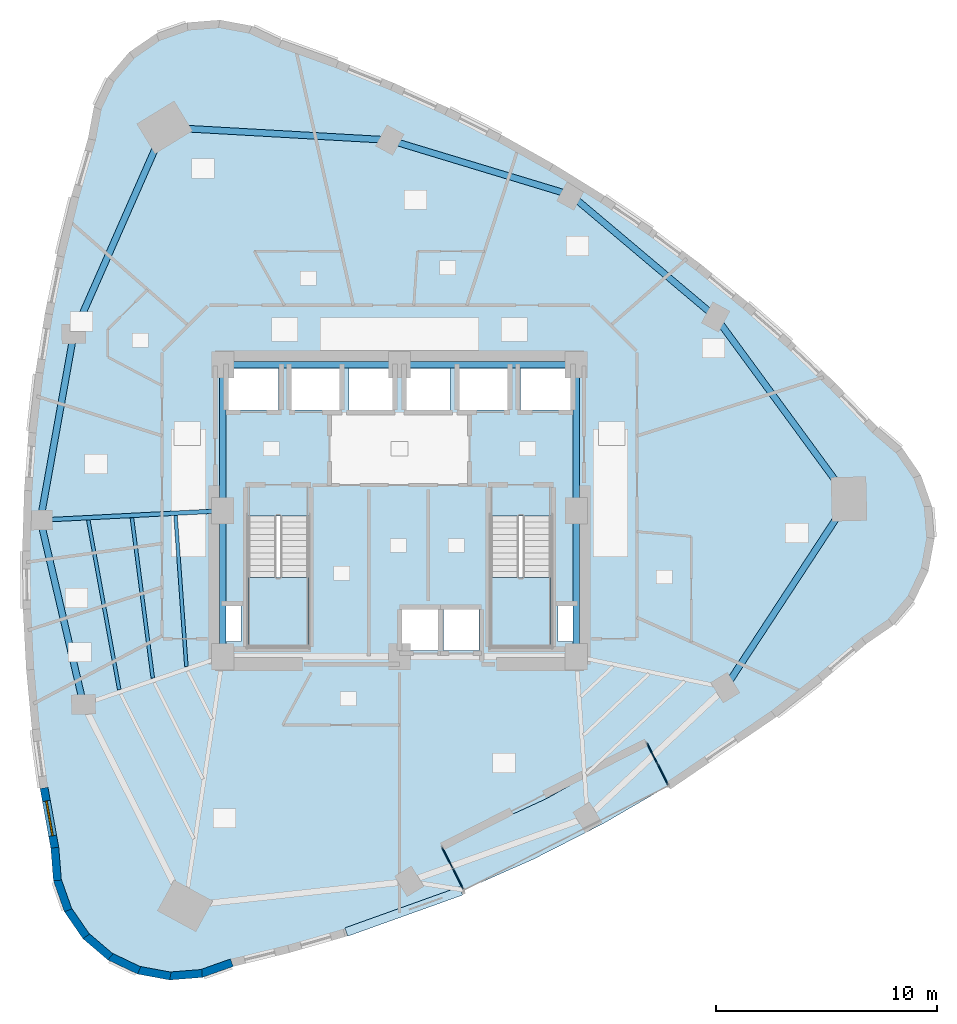
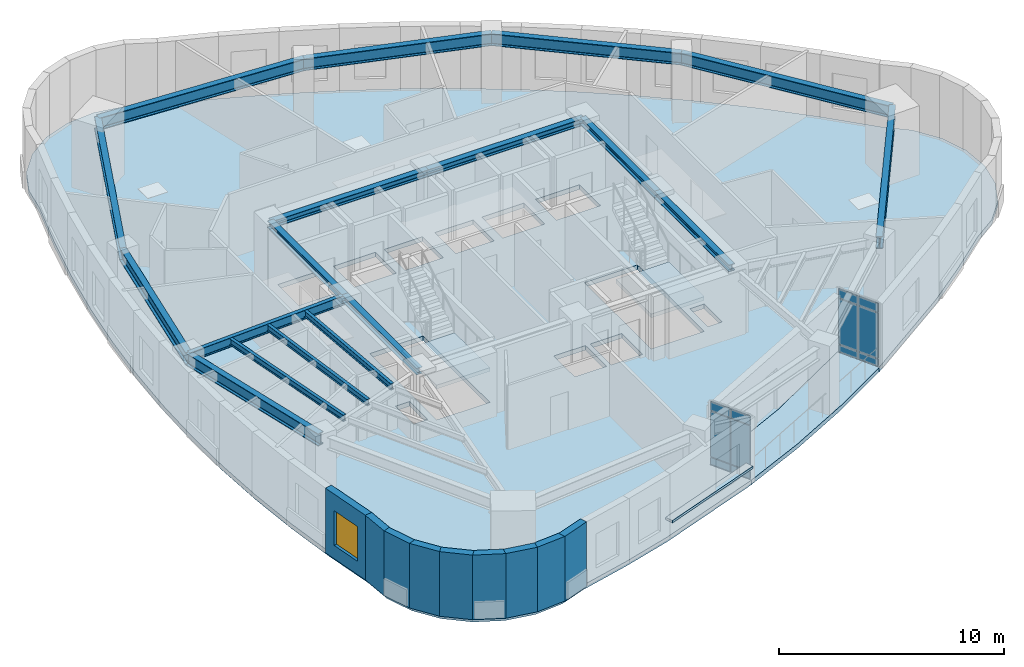
# One storey, part 4 of 11: 18 beams, 13 plates, 9 walls, 4 slabs, 1 window, 1 opening, 4 elements without a shape of their own.
"""IFC4 building model written with IfcOpenShell, lengths in metres."""

from ifc_helpers import new_model, si_unit, direction, frame, frame_2d, origin, origin_2d, place, context, subcontext, project, spatial, polyline, rectangle, i_section, outline, extrude, material, layer, layer_set, material_profile, profile_set, type_object, element, fill, aggregate, save


model = new_model("IFC4")

# Units and contexts
model_context = context("Model", 3, precision=1e-05, world=origin(), true_north=direction((0.0, 1.0)))
body_context = subcontext(model_context, "Body", "Model", "MODEL_VIEW")
ifc_project = project(units=[si_unit("LENGTHUNIT", "METRE"), si_unit("AREAUNIT", "SQUARE_METRE"), si_unit("VOLUMEUNIT", "CUBIC_METRE"), si_unit("PLANEANGLEUNIT", "RADIAN"), si_unit("MASSUNIT", "GRAM", prefix="KILO")], contexts=[model_context])

# Site, building, storey
site_placement = place(None, origin())
site = spatial("IfcSite", under=ifc_project, at=site_placement, CompositionType="ELEMENT")
building_placement = place(site_placement, origin())
building = spatial("IfcBuilding", under=site, at=building_placement, Name="Ndelora Gate Hotel", CompositionType="ELEMENT")
storey_placement = place(building_placement, frame((0.0, 0.0, 116.0)))
storey = spatial("IfcBuildingStorey", under=building, at=storey_placement, Name="L28", CompositionType="ELEMENT", Elevation=116.0)

# Beams
ifc_material_1 = material(Name="Steel S355", Category="steel")
ifc_material_profile_1 = material_profile(ifc_material_1, i_section(OverallWidth=0.300048828125, OverallDepth=0.360107421875, WebThickness=0.012451171875, FlangeThickness=0.0224609375, FilletRadius=0.027099609375, at=origin_2d()), Name="HEB 360")
ifc_profile_set_1 = profile_set([ifc_material_profile_1], Name="Steel S355")
beam_type_1 = type_object("IfcBeamType", Name="BM-CORE-360", PredefinedType="BEAM", material=ifc_profile_set_1)
for number, where, z_axis, x_axis, name in (
    (1, (-8.0, 6.60009765625, 3.320068359375), (1.0, 0.0, 0.0), (0.0, 1.0, 0.0), "L28 Core Tie Girder CC7-CC6"),
    (2, (0.0, 6.60009765625, 3.320068359375), (1.0, 0.0, 0.0), (0.0, 1.0, 0.0), "L28 Core Tie Girder CC6-CC5"),
):
    element("IfcBeam", number, at=place(storey_placement, frame(where, z_axis=z_axis, x_axis=x_axis)), inside=storey, type_object=beam_type_1, Name=name, PredefinedType="BEAM", context=body_context, shape_type="SweptSolid", body=[
        extrude(i_section(OverallWidth=0.300048828125, OverallDepth=0.360107421875, WebThickness=0.012451171875, FlangeThickness=0.0224609375, FilletRadius=0.027099609375, at=origin_2d()), origin(), (0.0, 0.0, 1.0), 8.0),
    ])
for number, where, z_axis, x_axis, name in (
    (3, (-8.0, -6.60009765625, 3.320068359375), (0.0, 1.0, 0.0), (-1.0, 0.0, 0.0), "L28 Core Tie Girder CC1-CC8"),
    (4, (-8.0, 0.0, 3.320068359375), (0.0, 1.0, 0.0), (-1.0, 0.0, 0.0), "L28 Core Tie Girder CC8-CC7"),
    (5, (8.0, -6.60009765625, 3.320068359375), (0.0, 1.0, 0.0), (-1.0, 0.0, 0.0), "L28 Core Tie Girder CC3-CC4"),
    (6, (8.0, 0.0, 3.320068359375), (0.0, 1.0, 0.0), (-1.0, 0.0, 0.0), "L28 Core Tie Girder CC4-CC5"),
):
    element("IfcBeam", number, at=place(storey_placement, frame(where, z_axis=z_axis, x_axis=x_axis)), inside=storey, type_object=beam_type_1, Name=name, PredefinedType="BEAM", context=body_context, shape_type="SweptSolid", body=[
        extrude(i_section(OverallWidth=0.300048828125, OverallDepth=0.360107421875, WebThickness=0.012451171875, FlangeThickness=0.0224609375, FilletRadius=0.027099609375, at=origin_2d()), origin(), (0.0, 0.0, 1.0), 6.60009765625),
    ])
ifc_material_profile_2 = material_profile(ifc_material_1, i_section(OverallWidth=0.159912109375, OverallDepth=0.330078125, WebThickness=0.007568359375, FlangeThickness=0.011474609375, FilletRadius=0.01806640625, at=origin_2d()), Name="IPE 330")
ifc_profile_set_2 = profile_set([ifc_material_profile_2], Name="Steel S355")
beam_type_2 = type_object("IfcBeamType", Name="BM-JST-330", PredefinedType="JOIST", material=ifc_profile_set_2)
beam_1_placement = place(storey_placement, frame((-10.138427734375, -0.220458984375, 3.3349609375), z_axis=(0.07162945927, -0.997431311201, 0.0), x_axis=(0.997431311201, 0.07162945927, 0.0)))
element("IfcBeam", 7, at=beam_1_placement, inside=storey, type_object=beam_type_2, Name="L28 Secondary Composite Floor Joist IN-3", PredefinedType="JOIST", context=body_context, shape_type="SweptSolid", body=[
    extrude(i_section(OverallWidth=0.159912109375, OverallDepth=0.330078125, WebThickness=0.007568359375, FlangeThickness=0.011474609375, FilletRadius=0.01806640625, at=origin_2d()), origin(), (0.0, 0.0, 1.0), 6.850830078125),
])
beam_2_placement = place(storey_placement, frame((-12.113525390625, -0.322021484375, 3.3349609375), z_axis=(0.12927924943, -0.991608226906, 0.0), x_axis=(0.991608226906, 0.12927924943, 0.0)))
element("IfcBeam", 8, at=beam_2_placement, inside=storey, type_object=beam_type_2, Name="L28 Secondary Composite Floor Joist MID-3", PredefinedType="JOIST", context=body_context, shape_type="SweptSolid", body=[
    extrude(i_section(OverallWidth=0.159912109375, OverallDepth=0.330078125, WebThickness=0.007568359375, FlangeThickness=0.011474609375, FilletRadius=0.01806640625, at=origin_2d()), origin(), (0.0, 0.0, 1.0), 7.31396484375),
])
beam_3_placement = place(storey_placement, frame((-14.089111328125, -0.423095703125, 3.3349609375), z_axis=(0.179733770179, -0.983715290039, 0.0), x_axis=(0.983715290039, 0.179733770179, 0.0)))
element("IfcBeam", 9, at=beam_3_placement, inside=storey, type_object=beam_type_2, Name="L28 Secondary Composite Floor Joist OUT-3", PredefinedType="JOIST", context=body_context, shape_type="SweptSolid", body=[
    extrude(i_section(OverallWidth=0.159912109375, OverallDepth=0.330078125, WebThickness=0.007568359375, FlangeThickness=0.011474609375, FilletRadius=0.01806640625, at=origin_2d()), origin(), (0.0, 0.0, 1.0), 7.799560546875),
])
ifc_material_profile_3 = material_profile(ifc_material_1, i_section(OverallWidth=0.199951171875, OverallDepth=0.5, WebThickness=0.01025390625, FlangeThickness=0.01611328125, FilletRadius=0.02099609375, at=origin_2d()), Name="IPE 500")
ifc_profile_set_3 = profile_set([ifc_material_profile_3], Name="Steel S355")
beam_type_3 = type_object("IfcBeamType", Name="BM-RAD-500", PredefinedType="BEAM", material=ifc_profile_set_3)
beam_4_placement = place(storey_placement, frame((-8.0, 0.0, 3.25), z_axis=(-0.998672591881, -0.051507807424, 0.0), x_axis=(0.051507807424, -0.998672591881, 0.0)))
element("IfcBeam", 10, at=beam_4_placement, inside=storey, type_object=beam_type_3, Name="L28 Radial Floor Girder 3", PredefinedType="BEAM", context=body_context, shape_type="SweptSolid", body=[
    extrude(i_section(OverallWidth=0.199951171875, OverallDepth=0.5, WebThickness=0.01025390625, FlangeThickness=0.01611328125, FilletRadius=0.02099609375, at=origin_2d()), origin(), (0.0, 0.0, 1.0), 8.266357421875),
])
ifc_material_profile_4 = material_profile(ifc_material_1, i_section(OverallWidth=0.300048828125, OverallDepth=0.64990234375, WebThickness=0.01611328125, FlangeThickness=0.031005859375, FilletRadius=0.027099609375, at=origin_2d()), Name="HEB 650")
ifc_profile_set_4 = profile_set([ifc_material_profile_4], Name="Steel S355")
beam_type_4 = type_object("IfcBeamType", Name="BM-RING-650", PredefinedType="SPANDREL", material=ifc_profile_set_4)
beam_5_placement = place(storey_placement, frame((-10.63330078125, 17.351806640625, 3.175048828125), z_axis=(-0.402852396707, -0.915264959707, 0.0), x_axis=(0.915264959707, -0.402852396707, 0.0)))
element("IfcBeam", 11, at=beam_5_placement, inside=storey, type_object=beam_type_4, Name="L28 Perimeter Spandrel Girder 1", PredefinedType="SPANDREL", context=body_context, shape_type="SweptSolid", body=[
    extrude(i_section(OverallWidth=0.300048828125, OverallDepth=0.64990234375, WebThickness=0.01611328125, FlangeThickness=0.031005859375, FilletRadius=0.027099609375, at=origin_2d()), origin(), (0.0, 0.0, 1.0), 10.21044921875),
])
beam_6_placement = place(storey_placement, frame((-14.74658203125, 8.006591796875, 3.175048828125), z_axis=(-0.176130938817, -0.984366746894, 0.0), x_axis=(0.984366746894, -0.176130938817, 0.0)))
element("IfcBeam", 12, at=beam_6_placement, inside=storey, type_object=beam_type_4, Name="L28 Perimeter Spandrel Girder 2", PredefinedType="SPANDREL", context=body_context, shape_type="SweptSolid", body=[
    extrude(i_section(OverallWidth=0.300048828125, OverallDepth=0.64990234375, WebThickness=0.01611328125, FlangeThickness=0.031005859375, FilletRadius=0.027099609375, at=origin_2d()), origin(), (0.0, 0.0, 1.0), 8.56640625),
])
beam_7_placement = place(storey_placement, frame((-16.25537109375, -0.42578125, 3.175048828125), z_axis=(0.227404398157, -0.973800410607, 0.0), x_axis=(0.973800410607, 0.227404398157, 0.0)))
element("IfcBeam", 13, at=beam_7_placement, inside=storey, type_object=beam_type_4, Name="L28 Perimeter Spandrel Girder 3", PredefinedType="SPANDREL", context=body_context, shape_type="SweptSolid", body=[
    extrude(i_section(OverallWidth=0.300048828125, OverallDepth=0.64990234375, WebThickness=0.01611328125, FlangeThickness=0.031005859375, FilletRadius=0.027099609375, at=origin_2d()), origin(), (0.0, 0.0, 1.0), 8.566162109375),
])
for number, where, z_axis, x_axis, name in (
    (14, (14.74658203125, -8.006591796875, 3.175048828125), (0.548194123818, 0.836351123998, 0.0), (-0.836351123998, 0.548194123818, 0.0), "L28 Perimeter Spandrel Girder 8"),
    (15, (20.34375, 0.53271484375, 3.175048828125), (-0.591229932094, 0.806503048597, 0.0), (-0.806503048597, -0.591229932094, 0.0), "L28 Perimeter Spandrel Girder 9"),
):
    element("IfcBeam", number, at=place(storey_placement, frame(where, z_axis=z_axis, x_axis=x_axis)), inside=storey, type_object=beam_type_4, Name=name, PredefinedType="SPANDREL", context=body_context, shape_type="SweptSolid", body=[
        extrude(i_section(OverallWidth=0.300048828125, OverallDepth=0.64990234375, WebThickness=0.01611328125, FlangeThickness=0.031005859375, FilletRadius=0.027099609375, at=origin_2d()), origin(), (0.0, 0.0, 1.0), 10.210205078125),
    ])
beam_8_placement = place(storey_placement, frame((14.30712890625, 8.767333984375, 3.175048828125), z_axis=(-0.76440691948, 0.644734101356, 0.0), x_axis=(-0.644734101356, -0.76440691948, 0.0)))
element("IfcBeam", 16, at=beam_8_placement, inside=storey, type_object=beam_type_4, Name="L28 Perimeter Spandrel Girder 10", PredefinedType="SPANDREL", context=body_context, shape_type="SweptSolid", body=[
    extrude(i_section(OverallWidth=0.300048828125, OverallDepth=0.64990234375, WebThickness=0.01611328125, FlangeThickness=0.031005859375, FilletRadius=0.027099609375, at=origin_2d()), origin(), (0.0, 0.0, 1.0), 8.566162109375),
])
beam_9_placement = place(storey_placement, frame((7.759033203125, 14.290283203125, 3.175048828125), z_axis=(-0.957030396662, 0.289987620192, 0.0), x_axis=(-0.289987620192, -0.957030396662, 0.0)))
element("IfcBeam", 17, at=beam_9_placement, inside=storey, type_object=beam_type_4, Name="L28 Perimeter Spandrel Girder 11", PredefinedType="SPANDREL", context=body_context, shape_type="SweptSolid", body=[
    extrude(i_section(OverallWidth=0.300048828125, OverallDepth=0.64990234375, WebThickness=0.01611328125, FlangeThickness=0.031005859375, FilletRadius=0.027099609375, at=origin_2d()), origin(), (0.0, 0.0, 1.0), 8.56640625),
])
beam_10_placement = place(storey_placement, frame((-0.439208984375, 16.7744140625, 3.175048828125), z_axis=(-0.998399808671, 0.056549288648, 0.0), x_axis=(-0.056549288648, -0.998399808671, 0.0)))
element("IfcBeam", 18, at=beam_10_placement, inside=storey, type_object=beam_type_4, Name="L28 Perimeter Spandrel Girder 12", PredefinedType="SPANDREL", context=body_context, shape_type="SweptSolid", body=[
    extrude(i_section(OverallWidth=0.300048828125, OverallDepth=0.64990234375, WebThickness=0.01611328125, FlangeThickness=0.031005859375, FilletRadius=0.027099609375, at=origin_2d()), origin(), (0.0, 0.0, 1.0), 10.21044921875),
])

# Curtain wall, plates
ifc_material_2 = material(Name="Bronze Anodised Unitised Aluminium and Low-E Glass", Category="aluminium")
ifc_layer_1 = layer(ifc_material_2, 0.199951171875)
ifc_layer_set_1 = layer_set([ifc_layer_1], Name="Bronze Anodised Unitised Aluminium and Low-E Glass")
curtain_wall_type = type_object("IfcCurtainWallType", Name="CW-SYS-3", PredefinedType="NOTDEFINED", material=ifc_layer_set_1)
curtain_wall_1_placement = place(storey_placement, origin())
curtain_wall_1 = element("IfcCurtainWall", 19, at=curtain_wall_1_placement, inside=storey, type_object=curtain_wall_type, Name="L28 Sky-Garden Loggia Side Curtain Wall CW3-1", PredefinedType="NOTDEFINED")
ifc_material_3 = material(Name="Solar-Control Low-E Insulated Glazing", Category="glass")
ifc_layer_2 = layer(ifc_material_3, 0.048095703125)
ifc_layer_set_2 = layer_set([ifc_layer_2], Name="Solar-Control Low-E Insulated Glazing")
plate_type_1 = type_object("IfcPlateType", Name="PL-CW-GLZ36", PredefinedType="CURTAIN_PANEL", material=ifc_layer_set_2)
plate_1_placement = place(storey_placement, frame((2.16845703125, -15.709716796875, 0.05908203125), z_axis=(0.0, 0.0, 1.0), x_axis=(0.454000680995, -0.891001336507, 0.0)))
plate_1 = element("IfcPlate", 20, at=plate_1_placement, type_object=plate_type_1, Name="CW3 panel 1.1", PredefinedType="CURTAIN_PANEL", context=body_context, shape_type="SweptSolid", body=[
    extrude(rectangle(XDim=1.014404296875, YDim=0.048095703125, at=origin_2d()), origin(), (0.0, 0.0, 1.0), 0.364501953125),
])
plate_2_placement = place(storey_placement, frame((2.16845703125, -15.709716796875, 0.4765625), z_axis=(0.0, 0.0, 1.0), x_axis=(0.454000680995, -0.891001336507, 0.0)))
plate_2 = element("IfcPlate", 21, at=plate_2_placement, type_object=plate_type_1, Name="CW3 panel 1.2", PredefinedType="CURTAIN_PANEL", context=body_context, shape_type="SweptSolid", body=[
    extrude(rectangle(XDim=1.014404296875, YDim=0.048095703125, at=origin_2d()), origin(), (0.0, 0.0, 1.0), 2.447021484375),
])
plate_3_placement = place(storey_placement, frame((2.16845703125, -15.709716796875, 2.9765625), z_axis=(0.0, 0.0, 1.0), x_axis=(0.454000680995, -0.891001336507, 0.0)))
plate_3 = element("IfcPlate", 22, at=plate_3_placement, type_object=plate_type_1, Name="CW3 panel 1.3", PredefinedType="CURTAIN_PANEL", context=body_context, shape_type="SweptSolid", body=[
    extrude(rectangle(XDim=1.014404296875, YDim=0.048095703125, at=origin_2d()), origin(), (0.0, 0.0, 1.0), 0.464599609375),
])
plate_4_placement = place(storey_placement, frame((2.653076171875, -16.660888671875, 0.05908203125), z_axis=(0.0, 0.0, 1.0), x_axis=(0.454000680995, -0.891001336507, 0.0)))
plate_4 = element("IfcPlate", 23, at=plate_4_placement, type_object=plate_type_1, Name="CW3 panel 2.1", PredefinedType="CURTAIN_PANEL", context=body_context, shape_type="SweptSolid", body=[
    extrude(rectangle(XDim=1.014404296875, YDim=0.048095703125, at=origin_2d()), origin(), (0.0, 0.0, 1.0), 0.364501953125),
])
plate_5_placement = place(storey_placement, frame((2.653076171875, -16.660888671875, 0.4765625), z_axis=(0.0, 0.0, 1.0), x_axis=(0.454000680995, -0.891001336507, 0.0)))
plate_5 = element("IfcPlate", 24, at=plate_5_placement, type_object=plate_type_1, Name="CW3 panel 2.2", PredefinedType="CURTAIN_PANEL", context=body_context, shape_type="SweptSolid", body=[
    extrude(rectangle(XDim=1.014404296875, YDim=0.048095703125, at=origin_2d()), origin(), (0.0, 0.0, 1.0), 2.447021484375),
])
plate_6_placement = place(storey_placement, frame((2.653076171875, -16.660888671875, 2.9765625), z_axis=(0.0, 0.0, 1.0), x_axis=(0.454000680995, -0.891001336507, 0.0)))
plate_6 = element("IfcPlate", 25, at=plate_6_placement, type_object=plate_type_1, Name="CW3 panel 2.3", PredefinedType="CURTAIN_PANEL", context=body_context, shape_type="SweptSolid", body=[
    extrude(rectangle(XDim=1.014404296875, YDim=0.048095703125, at=origin_2d()), origin(), (0.0, 0.0, 1.0), 0.464599609375),
])
aggregate(curtain_wall_1, [plate_1, plate_2, plate_3, plate_4, plate_5, plate_6])

curtain_wall_2_placement = place(storey_placement, origin())
curtain_wall_2 = element("IfcCurtainWall", 26, at=curtain_wall_2_placement, inside=storey, type_object=curtain_wall_type, Name="L28 Sky-Garden Loggia Side Curtain Wall CW3-2", PredefinedType="NOTDEFINED")
plate_7_placement = place(storey_placement, frame((11.91943359375, -11.939453125, 0.05908203125), z_axis=(0.0, 0.0, 1.0), x_axis=(-0.454000680995, 0.891001336507, 0.0)))
plate_7 = element("IfcPlate", 27, at=plate_7_placement, type_object=plate_type_1, Name="CW3 panel 1.1", PredefinedType="CURTAIN_PANEL", context=body_context, shape_type="SweptSolid", body=[
    extrude(rectangle(XDim=1.014404296875, YDim=0.048095703125, at=origin_2d()), origin(), (0.0, 0.0, 1.0), 0.364501953125),
])
plate_8_placement = place(storey_placement, frame((11.91943359375, -11.939453125, 0.4765625), z_axis=(0.0, 0.0, 1.0), x_axis=(-0.454000680995, 0.891001336507, 0.0)))
plate_8 = element("IfcPlate", 28, at=plate_8_placement, type_object=plate_type_1, Name="CW3 panel 1.2", PredefinedType="CURTAIN_PANEL", context=body_context, shape_type="SweptSolid", body=[
    extrude(rectangle(XDim=1.014404296875, YDim=0.048095703125, at=origin_2d()), origin(), (0.0, 0.0, 1.0), 2.447021484375),
])
plate_9_placement = place(storey_placement, frame((11.91943359375, -11.939453125, 2.9765625), z_axis=(0.0, 0.0, 1.0), x_axis=(-0.454000680995, 0.891001336507, 0.0)))
plate_9 = element("IfcPlate", 29, at=plate_9_placement, type_object=plate_type_1, Name="CW3 panel 1.3", PredefinedType="CURTAIN_PANEL", context=body_context, shape_type="SweptSolid", body=[
    extrude(rectangle(XDim=1.014404296875, YDim=0.048095703125, at=origin_2d()), origin(), (0.0, 0.0, 1.0), 0.464599609375),
])
plate_10_placement = place(storey_placement, frame((11.434814453125, -10.98828125, 0.05908203125), z_axis=(0.0, 0.0, 1.0), x_axis=(-0.454000680995, 0.891001336507, 0.0)))
plate_10 = element("IfcPlate", 30, at=plate_10_placement, type_object=plate_type_1, Name="CW3 panel 2.1", PredefinedType="CURTAIN_PANEL", context=body_context, shape_type="SweptSolid", body=[
    extrude(rectangle(XDim=1.014404296875, YDim=0.048095703125, at=origin_2d()), origin(), (0.0, 0.0, 1.0), 0.364501953125),
])
plate_11_placement = place(storey_placement, frame((11.434814453125, -10.98828125, 0.4765625), z_axis=(0.0, 0.0, 1.0), x_axis=(-0.454000680995, 0.891001336507, 0.0)))
plate_11 = element("IfcPlate", 31, at=plate_11_placement, type_object=plate_type_1, Name="CW3 panel 2.2", PredefinedType="CURTAIN_PANEL", context=body_context, shape_type="SweptSolid", body=[
    extrude(rectangle(XDim=1.014404296875, YDim=0.048095703125, at=origin_2d()), origin(), (0.0, 0.0, 1.0), 2.447021484375),
])
plate_12_placement = place(storey_placement, frame((11.434814453125, -10.98828125, 2.9765625), z_axis=(0.0, 0.0, 1.0), x_axis=(-0.454000680995, 0.891001336507, 0.0)))
plate_12 = element("IfcPlate", 32, at=plate_12_placement, type_object=plate_type_1, Name="CW3 panel 2.3", PredefinedType="CURTAIN_PANEL", context=body_context, shape_type="SweptSolid", body=[
    extrude(rectangle(XDim=1.014404296875, YDim=0.048095703125, at=origin_2d()), origin(), (0.0, 0.0, 1.0), 0.464599609375),
])
aggregate(curtain_wall_2, [plate_7, plate_8, plate_9, plate_10, plate_11, plate_12])

# Plate
ifc_material_4 = material(Name="Precast concrete C40/50", Category="concrete")
ifc_layer_3 = layer(ifc_material_4, 0.125)
ifc_layer_set_3 = layer_set([ifc_layer_3], Name="Precast concrete C40/50")
plate_type_2 = type_object("IfcPlateType", Name="PL-SILL-120", PredefinedType="USERDEFINED", material=ifc_layer_set_3)
plate_13_placement = place(storey_placement, frame((0.19091796875, -18.139404296875, 0.78759765625), z_axis=(0.0, 0.0, 1.0), x_axis=(0.941411696251, 0.337259570896, 0.0)))
element("IfcPlate", 33, at=plate_13_placement, inside=storey, type_object=plate_type_2, Name="L28 Streamline Precast Ribbon Sill 31", ObjectType="RIBBON_SILL", PredefinedType="USERDEFINED", context=body_context, shape_type="SweptSolid", body=[
    extrude(rectangle(XDim=5.527099609375, YDim=0.39990234375, at=origin_2d()), origin(), (0.0, 0.0, 1.0), 0.125),
])

# Stair, slab
stair_type = type_object("IfcStairType", Name="STR-DOG-CORE", PredefinedType="HALF_TURN_STAIR", material=ifc_material_4)
stair_1_placement = place(storey_placement, origin())
stair_1 = element("IfcStair", 34, at=stair_1_placement, inside=storey, type_object=stair_type, Name="L28 Protected Core Exit Stair ST4", PredefinedType="HALF_TURN_STAIR")
ifc_layer_4 = layer(ifc_material_4, 0.219970703125)
ifc_layer_set_4 = layer_set([ifc_layer_4], Name="Precast concrete C40/50")
slab_type_1 = type_object("IfcSlabType", Name="SL-LAND-220", PredefinedType="LANDING", material=ifc_layer_set_4)
slab_1_placement = place(storey_placement, frame((0.0, 0.0, 1.675048828125)))
slab_1 = element("IfcSlab", 35, at=slab_1_placement, type_object=slab_type_1, Name="ST4 landing 1", PredefinedType="LANDING", context=body_context, shape_type="SweptSolid", body=[
    extrude(outline(polyline([(-6.85009765625, -3.030029296875), (-6.85009765625, -6.14990234375), (-4.1298828125, -6.14990234375), (-4.1298828125, -3.030029296875), (-6.85009765625, -3.030029296875)])), origin(), (0.0, 0.0, 1.0), 0.199951171875),
])
aggregate(stair_1, [slab_1])

stair_2_placement = place(storey_placement, origin())
stair_2 = element("IfcStair", 36, at=stair_2_placement, inside=storey, type_object=stair_type, Name="L28 Protected Core Exit Stair ST5", PredefinedType="HALF_TURN_STAIR")
slab_2_placement = place(storey_placement, frame((0.0, 0.0, 1.675048828125)))
slab_2 = element("IfcSlab", 37, at=slab_2_placement, type_object=slab_type_1, Name="ST5 landing 1", PredefinedType="LANDING", context=body_context, shape_type="SweptSolid", body=[
    extrude(outline(polyline([(4.1298828125, -3.030029296875), (4.1298828125, -6.14990234375), (6.85009765625, -6.14990234375), (6.85009765625, -3.030029296875), (4.1298828125, -3.030029296875)])), origin(), (0.0, 0.0, 1.0), 0.199951171875),
])
aggregate(stair_2, [slab_2])

# Slabs
ifc_layer_5 = layer(ifc_material_4, 0.239990234375)
ifc_layer_set_5 = layer_set([ifc_layer_5], Name="Precast concrete C40/50")
slab_type_2 = type_object("IfcSlabType", Name="SL-TER-240", PredefinedType="FLOOR", material=ifc_layer_set_5)
slab_3_placement = place(storey_placement, frame((0.0, 0.0, -0.239990234375)))
element("IfcSlab", 38, at=slab_3_placement, inside=storey, type_object=slab_type_2, Name="L28 Sky Garden Loggia Terrace Slab", PredefinedType="FLOOR", context=body_context, shape_type="SweptSolid", body=[
    extrude(outline(polyline([(1.911376953125, -15.205078125), (2.91015625, -17.165283203125), (6.05419921875, -15.7763671875), (9.204833984375, -14.1708984375), (12.176513671875, -12.44384765625), (11.177734375, -10.483642578125), (6.64208984375, -13.03564453125), (1.911376953125, -15.205078125)])), origin(), (0.0, 0.0, 1.0), 0.239990234375),
])
ifc_material_5 = material(Name="Concrete C40/50", Category="concrete")
ifc_layer_6 = layer(ifc_material_5, 0.25)
ifc_layer_set_6 = layer_set([ifc_layer_6], Name="Concrete C40/50")
slab_type_3 = type_object("IfcSlabType", Name="SL-TWR-250", PredefinedType="FLOOR", material=ifc_layer_set_6)
slab_4_placement = place(storey_placement, frame((0.0, 0.0, -0.25)))
element("IfcSlab", 39, at=slab_4_placement, inside=storey, type_object=slab_type_3, Name="L28 Structural Floor Slab", PredefinedType="FLOOR", context=body_context, shape_type="SweptSolid", body=[
    extrude(outline(polyline([(-5.4306640625, 21.150146484375), (-6.7265625, 21.768310546875), (-8.138427734375, 22.02978515625), (-9.569580078125, 21.917236328125), (-10.923095703125, 21.43798828125), (-12.1064453125, 20.624755859375), (-13.038818359375, 19.532958984375), (-13.656982421875, 18.237060546875), (-13.918701171875, 16.8251953125), (-14.684326171875, 14.1826171875), (-15.33642578125, 11.5341796875), (-15.874755859375, 8.8798828125), (-16.29931640625, 6.219482421875), (-16.610107421875, 3.552978515625), (-16.80712890625, 0.880859375), (-16.890380859375, -1.79736328125), (-16.860107421875, -4.481689453125), (-16.7158203125, -7.171875), (-16.4580078125, -9.867919921875), (-16.08642578125, -12.570068359375), (-15.60107421875, -15.2783203125), (-15.488525390625, -16.70947265625), (-15.00927734375, -18.06298828125), (-14.196044921875, -19.24609375), (-13.104248046875, -20.1787109375), (-11.808349609375, -20.796875), (-10.396484375, -21.05859375), (-8.965087890625, -20.94580078125), (-7.61181640625, -20.466552734375), (-5.04638671875, -19.836669921875), (-2.5283203125, -19.11328125), (2.91015625, -17.165283203125), (1.911376953125, -15.205078125), (6.64208984375, -13.03564453125), (11.177734375, -10.483642578125), (12.176513671875, -12.44384765625), (16.94921875, -9.18896484375), (19.014404296875, -7.5771484375), (21.03173828125, -5.871826171875), (22.215087890625, -5.05859375), (23.147705078125, -3.966796875), (23.765625, -2.6708984375), (24.02734375, -1.25927734375), (23.914794921875, 0.172119140625), (23.435302734375, 1.525634765625), (22.622314453125, 2.708740234375), (21.530517578125, 3.641357421875), (19.624755859375, 5.625732421875), (17.6572265625, 7.5146484375), (15.62744140625, 9.30810546875), (13.535888671875, 11.005859375), (11.382080078125, 12.608154296875), (9.16650390625, 14.114990234375), (6.888671875, 15.5263671875), (4.548828125, 16.842041015625), (2.14697265625, 18.062255859375), (-0.31689453125, 19.18701171875), (-2.8427734375, 20.21630859375), (-5.4306640625, 21.150146484375)]), holes=[polyline([(-6.85009765625, -0.22998046875), (-6.85009765625, -6.14990234375), (-4.1298828125, -6.14990234375), (-4.1298828125, -0.22998046875), (-6.85009765625, -0.22998046875)]), polyline([(4.1298828125, -0.22998046875), (4.1298828125, -6.14990234375), (6.85009765625, -6.14990234375), (6.85009765625, -0.22998046875), (4.1298828125, -0.22998046875)]), polyline([(-7.72998046875, 4.570068359375), (-5.469970703125, 4.570068359375), (-5.469970703125, 6.429931640625), (-7.72998046875, 6.429931640625), (-7.72998046875, 4.570068359375)]), polyline([(5.469970703125, 4.570068359375), (7.72998046875, 4.570068359375), (7.72998046875, 6.429931640625), (5.469970703125, 6.429931640625), (5.469970703125, 4.570068359375)]), polyline([(-4.8798828125, 4.570068359375), (-2.719970703125, 4.570068359375), (-2.719970703125, 6.429931640625), (-4.8798828125, 6.429931640625), (-4.8798828125, 4.570068359375)]), polyline([(2.719970703125, 4.570068359375), (4.8798828125, 4.570068359375), (4.8798828125, 6.429931640625), (2.719970703125, 6.429931640625), (2.719970703125, 4.570068359375)]), polyline([(0.1201171875, -6.330078125), (1.739990234375, -6.330078125), (1.739990234375, -4.469970703125), (0.1201171875, -4.469970703125), (0.1201171875, -6.330078125)]), polyline([(1.97998046875, -6.330078125), (3.60009765625, -6.330078125), (3.60009765625, -4.469970703125), (1.97998046875, -4.469970703125), (1.97998046875, -6.330078125)]), polyline([(-2.280029296875, 4.570068359375), (-0.320068359375, 4.570068359375), (-0.320068359375, 6.429931640625), (-2.280029296875, 6.429931640625), (-2.280029296875, 4.570068359375)]), polyline([(0.320068359375, 4.570068359375), (2.280029296875, 4.570068359375), (2.280029296875, 6.429931640625), (0.320068359375, 6.429931640625), (0.320068359375, 4.570068359375)]), polyline([(-7.89990234375, -5.919921875), (-7.179931640625, -5.919921875), (-7.179931640625, -4.320068359375), (-7.89990234375, -4.320068359375), (-7.89990234375, -5.919921875)]), polyline([(7.179931640625, -5.919921875), (7.89990234375, -5.919921875), (7.89990234375, -4.320068359375), (7.179931640625, -4.320068359375), (7.179931640625, -5.919921875)])]), origin(), (0.0, 0.0, 1.0), 0.25),
])

# Wall, opening, window
ifc_material_6 = material(Name="Clay Brick Masonry", Category="masonry")
ifc_layer_7 = layer(ifc_material_6, 0.360107421875)
ifc_layer_set_7 = layer_set([ifc_layer_7], Name="Clay Brick Masonry")
wall_type = type_object("IfcWallType", Name="WL-BRICK-360", PredefinedType="SOLIDWALL", material=ifc_layer_set_7)
wall_1_placement = place(storey_placement, frame((-15.5966796875, -15.302734375, 0.0), z_axis=(0.0, 0.0, 1.0), x_axis=(-0.176399929502, 0.984318578953, 0.0)))
wall_1 = element("IfcWall", 40, at=wall_1_placement, inside=storey, type_object=wall_type, Name="L28 Tower Brick Pier-and-Spandrel Wall TWR-20", PredefinedType="SOLIDWALL", context=body_context, shape_type="SweptSolid", body=[
    extrude(rectangle(XDim=2.80126953125, YDim=0.360107421875, at=frame_2d((1.400634765625, 0.0))), origin(), (0.0, 0.0, 1.0), 3.5),
])
opening_placement = place(wall_1_placement, frame((0.6005859375, 0.0, 0.719970703125)))
opening = element("IfcOpeningElement", 41, at=opening_placement, cuts=wall_1, Name="Opening W01", PredefinedType="OPENING", context=body_context, shape_type="SweptSolid", body=[
    extrude(rectangle(XDim=1.60009765625, YDim=1.8798828125, at=frame_2d((0.800048828125, 0.93994140625))), frame((0.0, 0.18994140625, 0.0), z_axis=(0.0, -1.0, 0.0), x_axis=(1.0, 0.0, 0.0)), (0.0, 0.0, 1.0), 0.380126953125),
])
ifc_material_7 = material(Name="Insulated Low-E Double Glazing in Bronze Aluminium Frame", Category="aluminium")
window_type = type_object("IfcWindowType", Name="WN-DEEP-1600", PartitioningType="SINGLE_PANEL", PredefinedType="WINDOW", material=ifc_material_7)
window_placement = place(opening_placement, origin())
window = element("IfcWindow", 42, at=window_placement, inside=storey, type_object=window_type, Name="L28 Deep-Set Brick-Pier Window W01", OverallHeight=1.8798828125, OverallWidth=1.60009765625, PartitioningType="SINGLE_PANEL", PredefinedType="WINDOW", context=body_context, shape_type="SweptSolid", body=[
    extrude(rectangle(XDim=1.60009765625, YDim=1.8798828125, at=frame_2d((0.800048828125, 0.93994140625))), frame((0.0, 0.030029296875, 0.0), z_axis=(0.0, -1.0, 0.0), x_axis=(1.0, 0.0, 0.0)), (0.0, 0.0, 1.0), 0.06005859375),
])
fill(opening, window)

# Walls
wall_2_placement = place(storey_placement, frame((-15.486572265625, -16.734375, 0.0), z_axis=(0.0, 0.0, 1.0), x_axis=(-0.078393018091, 0.996922531952, 0.0)))
element("IfcWall", 43, at=wall_2_placement, inside=storey, type_object=wall_type, Name="L28 Tower Brick Pier-and-Spandrel Wall TWR-21", PredefinedType="SOLIDWALL", context=body_context, shape_type="SweptSolid", body=[
    extrude(rectangle(XDim=1.485595703125, YDim=0.360107421875, at=frame_2d((0.74267578125, 0.0))), origin(), (0.0, 0.0, 1.0), 3.5),
])
wall_3_placement = place(storey_placement, frame((-15.0009765625, -18.086669921875, 0.0), z_axis=(0.0, 0.0, 1.0), x_axis=(-0.333670746008, 0.942689680254, 0.0)))
element("IfcWall", 44, at=wall_3_placement, inside=storey, type_object=wall_type, Name="L28 Tower Brick Pier-and-Spandrel Wall TWR-22", PredefinedType="SOLIDWALL", context=body_context, shape_type="SweptSolid", body=[
    extrude(rectangle(XDim=1.486083984375, YDim=0.360107421875, at=frame_2d((0.7431640625, 0.0))), origin(), (0.0, 0.0, 1.0), 3.5),
])
wall_4_placement = place(storey_placement, frame((-14.181884765625, -19.266845703125, 0.0), z_axis=(0.0, 0.0, 1.0), x_axis=(-0.566438155808, 0.824104250472, 0.0)))
element("IfcWall", 45, at=wall_4_placement, inside=storey, type_object=wall_type, Name="L28 Tower Brick Pier-and-Spandrel Wall TWR-23", PredefinedType="SOLIDWALL", context=body_context, shape_type="SweptSolid", body=[
    extrude(rectangle(XDim=1.485595703125, YDim=0.360107421875, at=frame_2d((0.74267578125, 0.0))), origin(), (0.0, 0.0, 1.0), 3.5),
])
for number, where, z_axis, x_axis, name in (
    (46, (-13.085205078125, -20.19482421875, 0.0), (0.0, 0.0, 1.0), (-0.760461582144, 0.649382924078, 0.0), "L28 Tower Brick Pier-and-Spandrel Wall TWR-24"),
    (47, (-11.78564453125, -20.8076171875, 0.0), (0.0, 0.0, 1.0), (-0.902586982789, 0.430507535938, 0.0), "L28 Tower Brick Pier-and-Spandrel Wall TWR-25"),
):
    element("IfcWall", number, at=place(storey_placement, frame(where, z_axis=z_axis, x_axis=x_axis)), inside=storey, type_object=wall_type, Name=name, PredefinedType="SOLIDWALL", context=body_context, shape_type="SweptSolid", body=[
        extrude(rectangle(XDim=1.48583984375, YDim=0.360107421875, at=frame_2d((0.742919921875, 0.0))), origin(), (0.0, 0.0, 1.0), 3.5),
    ])
wall_5_placement = place(storey_placement, frame((-10.371826171875, -21.06298828125, 0.0), z_axis=(0.0, 0.0, 1.0), x_axis=(-0.983262389335, 0.182195152844, 0.0)))
element("IfcWall", 48, at=wall_5_placement, inside=storey, type_object=wall_type, Name="L28 Tower Brick Pier-and-Spandrel Wall TWR-26", PredefinedType="SOLIDWALL", context=body_context, shape_type="SweptSolid", body=[
    extrude(rectangle(XDim=1.486083984375, YDim=0.360107421875, at=frame_2d((0.7431640625, 0.0))), origin(), (0.0, 0.0, 1.0), 3.5),
])
for number, where, z_axis, x_axis, name in (
    (49, (-8.940185546875, -20.94384765625, 0.0), (0.0, 0.0, 1.0), (-0.996910688745, -0.078543482647, 0.0), "L28 Tower Brick Pier-and-Spandrel Wall TWR-27"),
    (50, (-7.588134765625, -20.458251953125, 0.0), (0.0, 0.0, 1.0), (-0.942671384708, -0.33372243025, 0.0), "L28 Tower Brick Pier-and-Spandrel Wall TWR-28"),
):
    element("IfcWall", number, at=place(storey_placement, frame(where, z_axis=z_axis, x_axis=x_axis)), inside=storey, type_object=wall_type, Name=name, PredefinedType="SOLIDWALL", context=body_context, shape_type="SweptSolid", body=[
        extrude(rectangle(XDim=1.48583984375, YDim=0.360107421875, at=frame_2d((0.742919921875, 0.0))), origin(), (0.0, 0.0, 1.0), 3.5),
    ])

save(model, "model.ifc")
